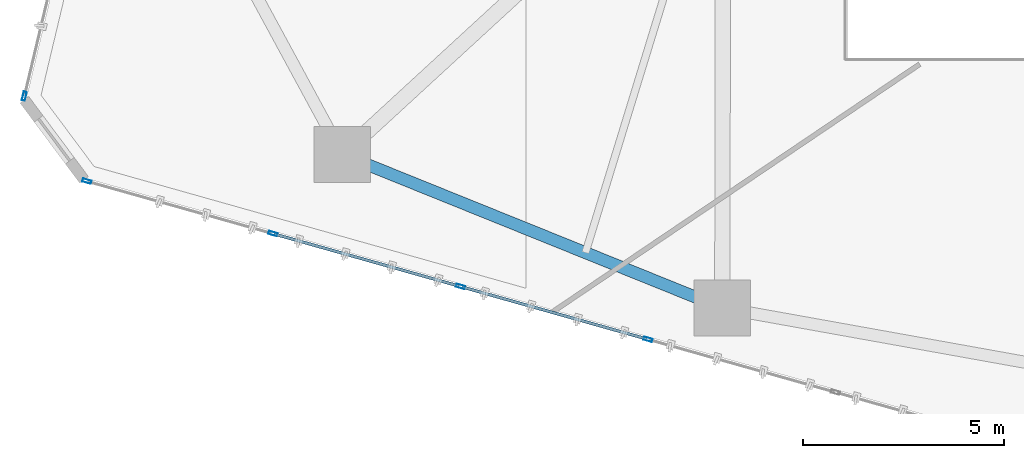
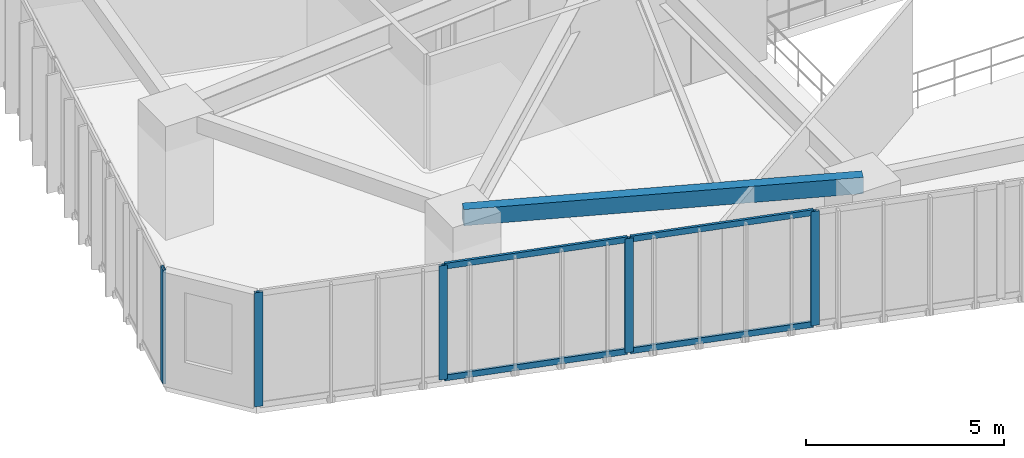
# One storey, part 2 of 24: 9 members, 1 beam, 2 elements without a shape of their own.
"""IFC4 building model written with IfcOpenShell, lengths in metres."""

from ifc_helpers import new_model, si_unit, direction, frame, origin, origin_2d, place, context, subcontext, project, spatial, hollow_rectangle, extrude, source, transform, mapped, material, layer, layer_set, material_profile, profile_set, type_object, type_shapes, element, aggregate, save


model = new_model("IFC4")

# Units and contexts
model_context = context("Model", 3, precision=1e-05, world=origin(), true_north=direction((0.0, 1.0)))
body_context = subcontext(model_context, "Body", "Model", "MODEL_VIEW")
ifc_project = project(units=[si_unit("LENGTHUNIT", "METRE"), si_unit("AREAUNIT", "SQUARE_METRE"), si_unit("VOLUMEUNIT", "CUBIC_METRE"), si_unit("PLANEANGLEUNIT", "RADIAN"), si_unit("MASSUNIT", "GRAM", prefix="KILO")], contexts=[model_context])

# Site, building, storey
site_placement = place(None, origin())
site = spatial("IfcSite", under=ifc_project, at=site_placement, CompositionType="ELEMENT")
building_placement = place(site_placement, origin())
building = spatial("IfcBuilding", under=site, at=building_placement, Name="Talar Marvaseh", CompositionType="ELEMENT")
storey_placement = place(building_placement, frame((0.0, 0.0, 43.0)))
storey = spatial("IfcBuildingStorey", under=building, at=storey_placement, Name="L10", CompositionType="ELEMENT", Elevation=43.0)

# Beam
ifc_material_1 = material(Name="Steel S355", Category="steel")
ifc_material_profile_1 = material_profile(ifc_material_1, hollow_rectangle(XDim=0.300048828125, YDim=0.5, WallThickness=0.02001953125, at=origin_2d()), Name="RHS500x300x20")
ifc_profile_set_1 = profile_set([ifc_material_profile_1], Name="Steel S355")
beam_type = type_object("IfcBeamType", Name="Zone 1 Perimeter Spandrel Beam RHS500x300x20", PredefinedType="SPANDREL", material=ifc_profile_set_1)
beam_placement = place(storey_placement, frame((18.68310546875, 12.97900390625, 3.27001953125), z_axis=(-0.927239278118, 0.374469386084, 0.0), x_axis=(-0.374469386084, -0.927239278118, 0.0)))
element("IfcBeam", 1, at=beam_placement, inside=storey, type_object=beam_type, Name="L10 Zone 1 Perimeter Spandrel Beam RHS500x300x20", PredefinedType="SPANDREL", context=body_context, shape_type="SweptSolid", body=[
    extrude(hollow_rectangle(XDim=0.300048828125, YDim=0.5, WallThickness=0.02001953125, at=origin_2d()), origin(), (0.0, 0.0, 1.0), 10.19287109375),
])

# Curtain wall, member
ifc_material_2 = material(Name="Architectural Aluminium", Category="aluminium")
ifc_layer = layer(ifc_material_2, 0.219970703125)
ifc_layer_set = layer_set([ifc_layer], Name="Architectural Aluminium")
curtain_wall_type = type_object("IfcCurtainWallType", Name="Unitised Low-E Museum Curtain Wall Z1", PredefinedType="NOTDEFINED", material=ifc_layer_set)
curtain_wall_1_placement = place(storey_placement, origin())
curtain_wall_1 = element("IfcCurtainWall", 2, at=curtain_wall_1_placement, inside=storey, type_object=curtain_wall_type, Name="L10 Unitised Low-E Museum Curtain Wall Z1", PredefinedType="NOTDEFINED")
ifc_material_profile_2 = material_profile(ifc_material_2, hollow_rectangle(XDim=0.080078125, YDim=0.219970703125, WallThickness=0.0048828125, at=origin_2d()), Name="RHS220x80x5")
ifc_profile_set_2 = profile_set([ifc_material_profile_2], Name="Architectural Aluminium")
member_type_1 = type_object("IfcMemberType", Name="Unitised Curtain Wall Heavy Mullion RHS220x80x5", PredefinedType="MULLION", material=ifc_profile_set_2)
shared_shape_1 = source(origin(), body_context, "Body", "SweptSolid", [
    extrude(hollow_rectangle(XDim=0.080078125, YDim=0.219970703125, WallThickness=0.0048828125, at=origin_2d()), origin(), (0.0, 0.0, 1.0), 3.52001953125),
])
type_shapes(member_type_1, [shared_shape_1])
member_1_placement = place(storey_placement, frame((1.327880859375, 18.244873046875, 0.0), z_axis=(0.0, 0.0, 1.0), x_axis=(-0.972760696779, 0.231811619213, 0.0)))
member_1 = element("IfcMember", 3, at=member_1_placement, type_object=member_type_1, Name="CW-Z1 mullion 1", PredefinedType="MULLION", context=body_context, shape_type="MappedRepresentation", body=[
    mapped(shared_shape_1, transform((0.0, 0.0, 0.0), x_axis=(1.0, 0.0, 0.0), y_axis=(0.0, 1.0, 0.0), z_axis=(0.0, 0.0, 1.0), scale=1.0)),
])
aggregate(curtain_wall_1, [member_1])

# Curtain wall, members
curtain_wall_2_placement = place(storey_placement, origin())
curtain_wall_2 = element("IfcCurtainWall", 4, at=curtain_wall_2_placement, inside=storey, type_object=curtain_wall_type, Name="L10 Unitised Low-E Museum Curtain Wall Z1", PredefinedType="NOTDEFINED")
member_2_placement = place(storey_placement, frame((16.835205078125, 12.198486328125, 0.0), z_axis=(0.0, 0.0, 1.0), x_axis=(-0.271291926399, -0.962497112032, 0.0)))
member_2 = element("IfcMember", 5, at=member_2_placement, type_object=member_type_1, Name="CW-Z1 mullion 3", PredefinedType="MULLION", context=body_context, shape_type="MappedRepresentation", body=[
    mapped(shared_shape_1, transform((0.0, 0.0, 0.0), x_axis=(1.0, 0.0, 0.0), y_axis=(0.0, 1.0, 0.0), z_axis=(0.0, 0.0, 1.0), scale=1.0)),
])
member_3_placement = place(storey_placement, frame((12.171630859375, 13.512939453125, 0.0), z_axis=(0.0, 0.0, 1.0), x_axis=(-0.271291926399, -0.962497112032, 0.0)))
member_3 = element("IfcMember", 6, at=member_3_placement, type_object=member_type_1, Name="CW-Z1 mullion 4", PredefinedType="MULLION", context=body_context, shape_type="MappedRepresentation", body=[
    mapped(shared_shape_1, transform((0.0, 0.0, 0.0), x_axis=(1.0, 0.0, 0.0), y_axis=(0.0, 1.0, 0.0), z_axis=(0.0, 0.0, 1.0), scale=1.0)),
])
member_4_placement = place(storey_placement, frame((7.508056640625, 14.827392578125, 0.0), z_axis=(0.0, 0.0, 1.0), x_axis=(-0.271291926399, -0.962497112032, 0.0)))
member_4 = element("IfcMember", 7, at=member_4_placement, type_object=member_type_1, Name="CW-Z1 mullion 5", PredefinedType="MULLION", context=body_context, shape_type="MappedRepresentation", body=[
    mapped(shared_shape_1, transform((0.0, 0.0, 0.0), x_axis=(1.0, 0.0, 0.0), y_axis=(0.0, 1.0, 0.0), z_axis=(0.0, 0.0, 1.0), scale=1.0)),
])
member_5_placement = place(storey_placement, frame((2.8828125, 16.131103515625, 0.0), z_axis=(0.0, 0.0, 1.0), x_axis=(-0.271291926399, -0.962497112032, 0.0)))
member_5 = element("IfcMember", 8, at=member_5_placement, type_object=member_type_1, Name="CW-Z1 mullion 6", PredefinedType="MULLION", context=body_context, shape_type="MappedRepresentation", body=[
    mapped(shared_shape_1, transform((0.0, 0.0, 0.0), x_axis=(1.0, 0.0, 0.0), y_axis=(0.0, 1.0, 0.0), z_axis=(0.0, 0.0, 1.0), scale=1.0)),
])
ifc_material_profile_3 = material_profile(ifc_material_2, hollow_rectangle(XDim=0.074951171875, YDim=0.179931640625, WallThickness=0.0048828125, at=origin_2d()), Name="RHS180x75x5")
ifc_profile_set_3 = profile_set([ifc_material_profile_3], Name="Architectural Aluminium")
member_type_2 = type_object("IfcMemberType", Name="Unitised Curtain Wall Transom RHS180x75x5", PredefinedType="USERDEFINED", material=ifc_profile_set_3)
shared_shape_2 = source(origin(), body_context, "Body", "SweptSolid", [
    extrude(hollow_rectangle(XDim=0.074951171875, YDim=0.179931640625, WallThickness=0.0048828125, at=origin_2d()), origin(), (0.0, 0.0, 1.0), 4.765380859375),
])
member_6_placement = place(storey_placement, frame((16.796875, 12.20947265625, 0.03759765625), z_axis=(-0.962501826581, 0.271275199433, 0.0), x_axis=(-0.271275199433, -0.962501826581, 0.0)))
member_6 = element("IfcMember", 9, at=member_6_placement, type_object=member_type_2, Name="CW-Z1 transom 3.1", ObjectType="TRANSOM", PredefinedType="USERDEFINED", context=body_context, shape_type="MappedRepresentation", body=[
    mapped(shared_shape_2, transform((0.0, 0.0, 0.0), x_axis=(1.0, 0.0, 0.0), y_axis=(0.0, 1.0, 0.0), z_axis=(0.0, 0.0, 1.0), scale=1.0)),
])
member_7_placement = place(storey_placement, frame((16.796875, 12.20947265625, 3.482421875), z_axis=(-0.962501826581, 0.271275199433, 0.0), x_axis=(-0.271275199433, -0.962501826581, 0.0)))
member_7 = element("IfcMember", 10, at=member_7_placement, type_object=member_type_2, Name="CW-Z1 transom 3.2", ObjectType="TRANSOM", PredefinedType="USERDEFINED", context=body_context, shape_type="MappedRepresentation", body=[
    mapped(shared_shape_2, transform((0.0, 0.0, 0.0), x_axis=(1.0, 0.0, 0.0), y_axis=(0.0, 1.0, 0.0), z_axis=(0.0, 0.0, 1.0), scale=1.0)),
])
shared_shape_3 = source(origin(), body_context, "Body", "SweptSolid", [
    extrude(hollow_rectangle(XDim=0.074951171875, YDim=0.179931640625, WallThickness=0.0048828125, at=origin_2d()), origin(), (0.0, 0.0, 1.0), 4.76513671875),
])
type_shapes(member_type_2, [shared_shape_2, shared_shape_3])
member_8_placement = place(storey_placement, frame((12.133056640625, 13.52392578125, 0.03759765625), z_axis=(-0.962498056103, 0.271288576976, 0.0), x_axis=(-0.271288576976, -0.962498056103, 0.0)))
member_8 = element("IfcMember", 11, at=member_8_placement, type_object=member_type_2, Name="CW-Z1 transom 4.1", ObjectType="TRANSOM", PredefinedType="USERDEFINED", context=body_context, shape_type="MappedRepresentation", body=[
    mapped(shared_shape_3, transform((0.0, 0.0, 0.0), x_axis=(1.0, 0.0, 0.0), y_axis=(0.0, 1.0, 0.0), z_axis=(0.0, 0.0, 1.0), scale=1.0)),
])
member_9_placement = place(storey_placement, frame((12.133056640625, 13.52392578125, 3.482421875), z_axis=(-0.962498056103, 0.271288576976, 0.0), x_axis=(-0.271288576976, -0.962498056103, 0.0)))
member_9 = element("IfcMember", 12, at=member_9_placement, type_object=member_type_2, Name="CW-Z1 transom 4.2", ObjectType="TRANSOM", PredefinedType="USERDEFINED", context=body_context, shape_type="MappedRepresentation", body=[
    mapped(shared_shape_3, transform((0.0, 0.0, 0.0), x_axis=(1.0, 0.0, 0.0), y_axis=(0.0, 1.0, 0.0), z_axis=(0.0, 0.0, 1.0), scale=1.0)),
])
aggregate(curtain_wall_2, [member_2, member_3, member_4, member_5, member_6, member_7, member_8, member_9])

save(model, "model.ifc")
